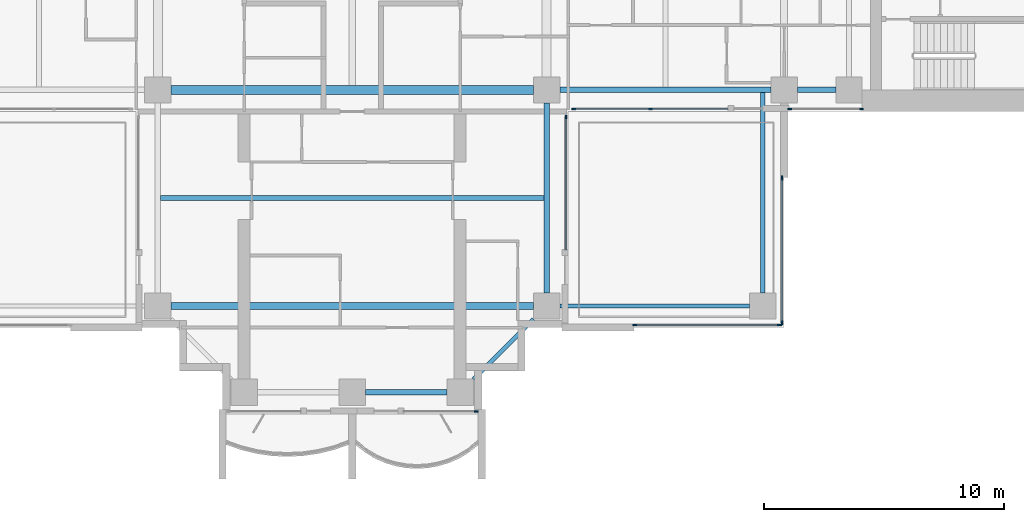
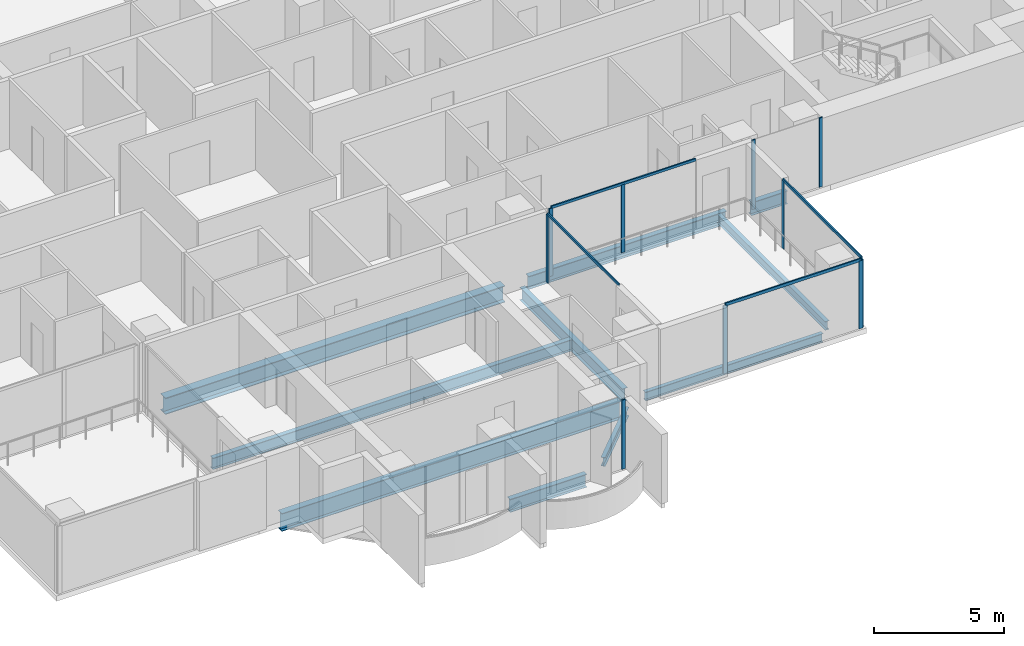
# One storey, part 3 of 19: 14 members, 10 beams, 6 elements without a shape of their own.
"""IFC4 building model written with IfcOpenShell, lengths in metres."""

from ifc_helpers import new_model, si_unit, direction, frame, origin, origin_2d, place, context, subcontext, project, spatial, rectangle, i_section, extrude, material, material_profile, profile_set, type_object, element, aggregate, save


model = new_model("IFC4")

# Units and contexts
model_context = context("Model", 3, precision=1e-05, world=origin(), true_north=direction((0.0, 1.0)))
body_context = subcontext(model_context, "Body", "Model", "MODEL_VIEW")
ifc_project = project(units=[si_unit("LENGTHUNIT", "METRE"), si_unit("AREAUNIT", "SQUARE_METRE"), si_unit("VOLUMEUNIT", "CUBIC_METRE"), si_unit("PLANEANGLEUNIT", "RADIAN"), si_unit("MASSUNIT", "GRAM", prefix="KILO")], contexts=[model_context])

# Site, building, storey
site_placement = place(None, origin())
site = spatial("IfcSite", under=ifc_project, at=site_placement, CompositionType="ELEMENT")
building_placement = place(site_placement, origin())
building = spatial("IfcBuilding", under=site, at=building_placement, Name="Perihelion Cross Residences", CompositionType="ELEMENT")
storey_placement = place(building_placement, frame((0.0, 0.0, 119.89990234375)))
storey = spatial("IfcBuildingStorey", under=building, at=storey_placement, Name="L28", CompositionType="ELEMENT", Elevation=119.89990234375)

# Curtain wall, member
ifc_material_1 = material(Name="Bronze anodised aluminium, tinted glazing", Category="aluminium")
curtain_wall_type_1 = type_object("IfcCurtainWallType", Name="CW1", PredefinedType="NOTDEFINED", material=ifc_material_1)
curtain_wall_1_placement = place(storey_placement, origin())
curtain_wall_1 = element("IfcCurtainWall", 1, at=curtain_wall_1_placement, inside=storey, type_object=curtain_wall_type_1, Name="Curtain wall CW1 L28 south tip south bay 2", PredefinedType="NOTDEFINED")
ifc_material_2 = material(Name="Bronze anodised aluminium", Category="aluminium")
ifc_material_profile_1 = material_profile(ifc_material_2, rectangle(XDim=0.06005859375, YDim=0.159912109375, at=origin_2d()), Name="CW1 mullion")
ifc_profile_set_1 = profile_set([ifc_material_profile_1], Name="Bronze anodised aluminium")
member_type_1 = type_object("IfcMemberType", Name="CW1 mullion", PredefinedType="MULLION", material=ifc_profile_set_1)
member_1_placement = place(storey_placement, frame((5.169921875, -21.5, 0.0), z_axis=(0.0, 0.0, 1.0), x_axis=(0.0, 1.0, 0.0)))
member_1 = element("IfcMember", 2, at=member_1_placement, type_object=member_type_1, Name="CW1 mullion 2", PredefinedType="MULLION", context=body_context, shape_type="SweptSolid", body=[
    extrude(rectangle(XDim=0.06005859375, YDim=0.159912109375, at=origin_2d()), origin(), (0.0, 0.0, 1.0), 3.25),
])
aggregate(curtain_wall_1, [member_1])

curtain_wall_2_placement = place(storey_placement, origin())
curtain_wall_2 = element("IfcCurtainWall", 3, at=curtain_wall_2_placement, inside=storey, type_object=curtain_wall_type_1, Name="Curtain wall CW1 L28 south side east bay 1", PredefinedType="NOTDEFINED")
member_2_placement = place(storey_placement, frame((8.89990234375, -9.22998046875, 0.0), z_axis=(0.0, 0.0, 1.0), x_axis=(-1.0, 0.0, 0.0)))
member_2 = element("IfcMember", 4, at=member_2_placement, type_object=member_type_1, Name="CW1 mullion 2", PredefinedType="MULLION", context=body_context, shape_type="SweptSolid", body=[
    extrude(rectangle(XDim=0.06005859375, YDim=0.159912109375, at=origin_2d()), origin(), (0.0, 0.0, 1.0), 3.190185546875),
])

# Curtain wall, members
curtain_wall_3_placement = place(storey_placement, origin())
curtain_wall_3 = element("IfcCurtainWall", 5, at=curtain_wall_3_placement, inside=storey, type_object=curtain_wall_type_1, Name="Curtain wall CW1 L28 east side south bay 1", PredefinedType="NOTDEFINED")
member_3_placement = place(storey_placement, frame((9.22998046875, -8.89990234375, 0.0), z_axis=(0.0, 0.0, 1.0), x_axis=(0.0, 1.0, 0.0)))
member_3 = element("IfcMember", 6, at=member_3_placement, type_object=member_type_1, Name="CW1 mullion 1", PredefinedType="MULLION", context=body_context, shape_type="SweptSolid", body=[
    extrude(rectangle(XDim=0.06005859375, YDim=0.159912109375, at=origin_2d()), origin(), (0.0, 0.0, 1.0), 3.190185546875),
])
member_4_placement = place(storey_placement, frame((12.425048828125, -8.89990234375, 0.0), z_axis=(0.0, 0.0, 1.0), x_axis=(0.0, 1.0, 0.0)))
member_4 = element("IfcMember", 7, at=member_4_placement, type_object=member_type_1, Name="CW1 mullion 2", PredefinedType="MULLION", context=body_context, shape_type="SweptSolid", body=[
    extrude(rectangle(XDim=0.06005859375, YDim=0.159912109375, at=origin_2d()), origin(), (0.0, 0.0, 1.0), 3.190185546875),
])

curtain_wall_4_placement = place(storey_placement, origin())
curtain_wall_4 = element("IfcCurtainWall", 8, at=curtain_wall_4_placement, inside=storey, type_object=curtain_wall_type_1, Name="Curtain wall CW1 L28 east side south bay 2", PredefinedType="NOTDEFINED")
member_5_placement = place(storey_placement, frame((18.22998046875, -8.89990234375, 0.0), z_axis=(0.0, 0.0, 1.0), x_axis=(0.0, 1.0, 0.0)))
member_5 = element("IfcMember", 9, at=member_5_placement, type_object=member_type_1, Name="CW1 mullion 1", PredefinedType="MULLION", context=body_context, shape_type="SweptSolid", body=[
    extrude(rectangle(XDim=0.06005859375, YDim=0.159912109375, at=origin_2d()), origin(), (0.0, 0.0, 1.0), 3.25),
])
member_6_placement = place(storey_placement, frame((21.219970703125, -8.89990234375, 0.0), z_axis=(0.0, 0.0, 1.0), x_axis=(0.0, 1.0, 0.0)))
member_6 = element("IfcMember", 10, at=member_6_placement, type_object=member_type_1, Name="CW1 mullion 2", PredefinedType="MULLION", context=body_context, shape_type="SweptSolid", body=[
    extrude(rectangle(XDim=0.06005859375, YDim=0.159912109375, at=origin_2d()), origin(), (0.0, 0.0, 1.0), 3.25),
])
aggregate(curtain_wall_4, [member_5, member_6])

# Member
ifc_material_3 = material(Name="Bronze anodised aluminium", Category="aluminium")
ifc_material_profile_2 = material_profile(ifc_material_3, rectangle(XDim=0.06005859375, YDim=0.1201171875, at=origin_2d()), Name="CW1 transom")
ifc_profile_set_2 = profile_set([ifc_material_profile_2], Name="Bronze anodised aluminium")
member_type_2 = type_object("IfcMemberType", Name="CW1 transom", PredefinedType="USERDEFINED", material=ifc_profile_set_2)
member_7_placement = place(storey_placement, frame((8.89990234375, -14.75, 3.22021484375), z_axis=(0.0, 1.0, 0.0), x_axis=(-1.0, 0.0, 0.0)))
member_7 = element("IfcMember", 11, at=member_7_placement, type_object=member_type_2, Name="CW1 head transom", ObjectType="TRANSOM", PredefinedType="USERDEFINED", context=body_context, shape_type="SweptSolid", body=[
    extrude(rectangle(XDim=0.06005859375, YDim=0.1201171875, at=origin_2d()), origin(), (0.0, 0.0, 1.0), 5.52001953125),
])

aggregate(curtain_wall_2, [member_2, member_7])

member_8_placement = place(storey_placement, frame((9.22998046875, -8.89990234375, 3.22021484375), z_axis=(1.0, 0.0, 0.0), x_axis=(0.0, 1.0, 0.0)))
member_8 = element("IfcMember", 12, at=member_8_placement, type_object=member_type_2, Name="CW1 head transom", ObjectType="TRANSOM", PredefinedType="USERDEFINED", context=body_context, shape_type="SweptSolid", body=[
    extrude(rectangle(XDim=0.06005859375, YDim=0.1201171875, at=origin_2d()), origin(), (0.0, 0.0, 1.0), 6.419921875),
])

aggregate(curtain_wall_3, [member_3, member_4, member_8])

# Curtain wall, members
ifc_material_4 = material(Name="Bronze anodised aluminium, tinted glazing", Category="aluminium")
curtain_wall_type_2 = type_object("IfcCurtainWallType", Name="CW4", PredefinedType="NOTDEFINED", material=ifc_material_4)
curtain_wall_5_placement = place(storey_placement, origin())
curtain_wall_5 = element("IfcCurtainWall", 13, at=curtain_wall_5_placement, inside=storey, type_object=curtain_wall_type_2, Name="Curtain wall CW4 L28 pocket south-east 1 1", PredefinedType="NOTDEFINED")
ifc_material_5 = material(Name="Bronze anodised aluminium", Category="aluminium")
ifc_material_profile_3 = material_profile(ifc_material_5, rectangle(XDim=0.06005859375, YDim=0.179931640625, at=origin_2d()), Name="CW4 mullion")
ifc_profile_set_3 = profile_set([ifc_material_profile_3], Name="Bronze anodised aluminium")
member_type_3 = type_object("IfcMemberType", Name="CW4 mullion", PredefinedType="MULLION", material=ifc_profile_set_3)
member_9_placement = place(storey_placement, frame((17.89990234375, -11.77001953125, 0.0), z_axis=(0.0, 0.0, 1.0), x_axis=(1.0, 0.0, 0.0)))
member_9 = element("IfcMember", 14, at=member_9_placement, type_object=member_type_3, Name="CW4 mullion 1", PredefinedType="MULLION", context=body_context, shape_type="SweptSolid", body=[
    extrude(rectangle(XDim=0.06005859375, YDim=0.179931640625, at=origin_2d()), origin(), (0.0, 0.0, 1.0), 3.190185546875),
])
member_10_placement = place(storey_placement, frame((17.89990234375, -17.800048828125, 0.0), z_axis=(0.0, 0.0, 1.0), x_axis=(1.0, 0.0, 0.0)))
member_10 = element("IfcMember", 15, at=member_10_placement, type_object=member_type_3, Name="CW4 mullion 2", PredefinedType="MULLION", context=body_context, shape_type="SweptSolid", body=[
    extrude(rectangle(XDim=0.06005859375, YDim=0.179931640625, at=origin_2d()), origin(), (0.0, 0.0, 1.0), 3.190185546875),
])

curtain_wall_6_placement = place(storey_placement, origin())
curtain_wall_6 = element("IfcCurtainWall", 16, at=curtain_wall_6_placement, inside=storey, type_object=curtain_wall_type_2, Name="Curtain wall CW4 L28 pocket south-east 1 2", PredefinedType="NOTDEFINED")
member_11_placement = place(storey_placement, frame((17.800048828125, -17.89990234375, 0.0), z_axis=(0.0, 0.0, 1.0), x_axis=(0.0, -1.0, 0.0)))
member_11 = element("IfcMember", 17, at=member_11_placement, type_object=member_type_3, Name="CW4 mullion 1", PredefinedType="MULLION", context=body_context, shape_type="SweptSolid", body=[
    extrude(rectangle(XDim=0.06005859375, YDim=0.179931640625, at=origin_2d()), origin(), (0.0, 0.0, 1.0), 3.190185546875),
])
member_12_placement = place(storey_placement, frame((11.77001953125, -17.89990234375, 0.0), z_axis=(0.0, 0.0, 1.0), x_axis=(0.0, -1.0, 0.0)))
member_12 = element("IfcMember", 18, at=member_12_placement, type_object=member_type_3, Name="CW4 mullion 2", PredefinedType="MULLION", context=body_context, shape_type="SweptSolid", body=[
    extrude(rectangle(XDim=0.06005859375, YDim=0.179931640625, at=origin_2d()), origin(), (0.0, 0.0, 1.0), 3.190185546875),
])

# Member
ifc_material_6 = material(Name="Bronze anodised aluminium", Category="aluminium")
ifc_material_profile_4 = material_profile(ifc_material_6, rectangle(XDim=0.06005859375, YDim=0.139892578125, at=origin_2d()), Name="CW4 transom")
ifc_profile_set_4 = profile_set([ifc_material_profile_4], Name="Bronze anodised aluminium")
member_type_4 = type_object("IfcMemberType", Name="CW4 transom", PredefinedType="USERDEFINED", material=ifc_profile_set_4)
member_13_placement = place(storey_placement, frame((17.89990234375, -11.77001953125, 3.22021484375), z_axis=(0.0, -1.0, 0.0), x_axis=(1.0, 0.0, 0.0)))
member_13 = element("IfcMember", 19, at=member_13_placement, type_object=member_type_4, Name="CW4 head transom", ObjectType="TRANSOM", PredefinedType="USERDEFINED", context=body_context, shape_type="SweptSolid", body=[
    extrude(rectangle(XDim=0.06005859375, YDim=0.139892578125, at=origin_2d()), origin(), (0.0, 0.0, 1.0), 6.030029296875),
])

aggregate(curtain_wall_5, [member_9, member_10, member_13])

member_14_placement = place(storey_placement, frame((17.800048828125, -17.89990234375, 3.22021484375), z_axis=(-1.0, 0.0, 0.0), x_axis=(0.0, -1.0, 0.0)))
member_14 = element("IfcMember", 20, at=member_14_placement, type_object=member_type_4, Name="CW4 head transom", ObjectType="TRANSOM", PredefinedType="USERDEFINED", context=body_context, shape_type="SweptSolid", body=[
    extrude(rectangle(XDim=0.06005859375, YDim=0.139892578125, at=origin_2d()), origin(), (0.0, 0.0, 1.0), 6.030029296875),
])

aggregate(curtain_wall_6, [member_11, member_12, member_14])

# Beams
ifc_material_7 = material(Name="Steel S355", Category="steel")
ifc_material_profile_5 = material_profile(ifc_material_7, i_section(OverallWidth=0.177978515625, OverallDepth=0.406005859375, WebThickness=0.0078125, FlangeThickness=0.0126953125, at=origin_2d()), Name="W410x60")
ifc_profile_set_5 = profile_set([ifc_material_profile_5], Name="Steel S355")
beam_type_1 = type_object("IfcBeamType", Name="Core edge beam W410x60", PredefinedType="BEAM", material=ifc_profile_set_5)
beam_1_placement = place(storey_placement, frame((17.10009765625, -8.214599609375, -0.452880859375), z_axis=(0.0, -1.0, 0.0), x_axis=(1.0, 0.0, 0.0)))
element("IfcBeam", 21, at=beam_1_placement, inside=storey, type_object=beam_type_1, Name="Core edge beam TB2 L28 corner no. 5", PredefinedType="BEAM", context=body_context, shape_type="SweptSolid", body=[
    extrude(i_section(OverallWidth=0.177978515625, OverallDepth=0.406005859375, WebThickness=0.0078125, FlangeThickness=0.0126953125, at=origin_2d()), origin(), (0.0, 0.0, 1.0), 8.33544921875),
])
beam_2_placement = place(storey_placement, frame((8.64990234375, -17.10009765625, -0.452880859375), z_axis=(1.0, 0.0, 0.0), x_axis=(0.0, 1.0, 0.0)))
element("IfcBeam", 22, at=beam_2_placement, inside=storey, type_object=beam_type_1, Name="Core edge beam TB2 L28 corner no. 6", PredefinedType="BEAM", context=body_context, shape_type="SweptSolid", body=[
    extrude(i_section(OverallWidth=0.177978515625, OverallDepth=0.406005859375, WebThickness=0.0078125, FlangeThickness=0.0126953125, at=origin_2d()), origin(), (0.0, 0.0, 1.0), 7.900146484375),
])
ifc_material_8 = material(Name="Steel S355", Category="steel")
ifc_material_profile_6 = material_profile(ifc_material_8, i_section(OverallWidth=0.22900390625, OverallDepth=0.612060546875, WebThickness=0.011962890625, FlangeThickness=0.01953125, at=origin_2d()), Name="W610x125")
ifc_profile_set_6 = profile_set([ifc_material_profile_6], Name="Steel S355")
beam_type_2 = type_object("IfcBeamType", Name="Edge beam W610x125", PredefinedType="SPANDREL", material=ifc_profile_set_6)
beam_3_placement = place(storey_placement, frame((0.550048828125, -20.699951171875, -0.555908203125), z_axis=(1.0, 0.0, 0.0), x_axis=(0.0, 1.0, 0.0)))
element("IfcBeam", 23, at=beam_3_placement, inside=storey, type_object=beam_type_2, Name="Edge beam SB3 L28 no. 9", PredefinedType="SPANDREL", context=body_context, shape_type="SweptSolid", body=[
    extrude(i_section(OverallWidth=0.22900390625, OverallDepth=0.612060546875, WebThickness=0.011962890625, FlangeThickness=0.01953125, at=origin_2d()), origin(), (0.0, 0.0, 1.0), 3.39990234375),
])
beam_4_placement = place(storey_placement, frame((8.10009765625, -16.550048828125, -0.555908203125), z_axis=(0.0, 1.0, 0.0), x_axis=(-1.0, 0.0, 0.0)))
element("IfcBeam", 24, at=beam_4_placement, inside=storey, type_object=beam_type_2, Name="Edge beam SB3 L28 no. 15", PredefinedType="SPANDREL", context=body_context, shape_type="SweptSolid", body=[
    extrude(i_section(OverallWidth=0.22900390625, OverallDepth=0.612060546875, WebThickness=0.011962890625, FlangeThickness=0.01953125, at=origin_2d()), origin(), (0.0, 0.0, 1.0), 7.900146484375),
])
beam_5_placement = place(storey_placement, frame((8.64990234375, -8.10009765625, -0.555908203125), z_axis=(1.0, 0.0, 0.0), x_axis=(0.0, 1.0, 0.0)))
element("IfcBeam", 25, at=beam_5_placement, inside=storey, type_object=beam_type_2, Name="Edge beam SB3 L28 no. 16", PredefinedType="SPANDREL", context=body_context, shape_type="SweptSolid", body=[
    extrude(i_section(OverallWidth=0.22900390625, OverallDepth=0.612060546875, WebThickness=0.011962890625, FlangeThickness=0.01953125, at=origin_2d()), origin(), (0.0, 0.0, 1.0), 8.800048828125),
])
beam_6_placement = place(storey_placement, frame((18.550048828125, -8.10009765625, -0.555908203125), z_axis=(1.0, 0.0, 0.0), x_axis=(0.0, 1.0, 0.0)))
element("IfcBeam", 26, at=beam_6_placement, inside=storey, type_object=beam_type_2, Name="Edge beam SB3 L28 no. 11", PredefinedType="SPANDREL", context=body_context, shape_type="SweptSolid", body=[
    extrude(i_section(OverallWidth=0.22900390625, OverallDepth=0.612060546875, WebThickness=0.011962890625, FlangeThickness=0.01953125, at=origin_2d()), origin(), (0.0, 0.0, 1.0), 1.599853515625),
])
ifc_material_9 = material(Name="Steel S355", Category="steel")
ifc_material_profile_7 = material_profile(ifc_material_9, i_section(OverallWidth=0.2919921875, OverallDepth=0.8359375, WebThickness=0.013916015625, FlangeThickness=0.018798828125, at=origin_2d()), Name="W840x176")
ifc_profile_set_7 = profile_set([ifc_material_profile_7], Name="Steel S355")
beam_type_3 = type_object("IfcBeamType", Name="Floor girder W840x176", PredefinedType="BEAM", material=ifc_profile_set_7)
beam_7_placement = place(storey_placement, frame((-7.550048828125, -17.10009765625, -0.66796875), z_axis=(1.0, 0.0, 0.0), x_axis=(0.0, 1.0, 0.0)))
element("IfcBeam", 27, at=beam_7_placement, inside=storey, type_object=beam_type_3, Name="Girder G3 L28 no. 3", PredefinedType="BEAM", context=body_context, shape_type="SweptSolid", body=[
    extrude(i_section(OverallWidth=0.2919921875, OverallDepth=0.8359375, WebThickness=0.013916015625, FlangeThickness=0.018798828125, at=origin_2d()), origin(), (0.0, 0.0, 1.0), 15.10009765625),
])
ifc_material_10 = material(Name="Steel S355", Category="steel")
ifc_material_profile_8 = material_profile(ifc_material_10, i_section(OverallWidth=0.208984375, OverallDepth=0.532958984375, WebThickness=0.01025390625, FlangeThickness=0.015625, at=origin_2d()), Name="W530x92")
ifc_profile_set_8 = profile_set([ifc_material_profile_8], Name="Steel S355")
beam_type_4 = type_object("IfcBeamType", Name="Floor joist W530x92", PredefinedType="JOIST", material=ifc_profile_set_8)
beam_8_placement = place(storey_placement, frame((-7.985595703125, -12.60009765625, -0.516357421875), z_axis=(1.0, 0.0, 0.0), x_axis=(0.0, 1.0, 0.0)))
element("IfcBeam", 28, at=beam_8_placement, inside=storey, type_object=beam_type_4, Name="Joist J4 L28 no. 3", PredefinedType="JOIST", context=body_context, shape_type="SweptSolid", body=[
    extrude(i_section(OverallWidth=0.208984375, OverallDepth=0.532958984375, WebThickness=0.01025390625, FlangeThickness=0.015625, at=origin_2d()), origin(), (0.0, 0.0, 1.0), 15.97119140625),
])
ifc_material_11 = material(Name="Steel S355", Category="steel")
ifc_material_profile_9 = material_profile(ifc_material_11, i_section(OverallWidth=0.381103515625, OverallDepth=0.77197265625, WebThickness=0.0166015625, FlangeThickness=0.027099609375, at=origin_2d()), Name="W760x257")
ifc_profile_set_9 = profile_set([ifc_material_profile_9], Name="Steel S355")
beam_type_5 = type_object("IfcBeamType", Name="Hub ring girder W760x257", PredefinedType="BEAM", material=ifc_profile_set_9)
beam_9_placement = place(storey_placement, frame((-7.550048828125, -8.10009765625, -0.635986328125), z_axis=(1.0, 0.0, 0.0), x_axis=(0.0, 1.0, 0.0)))
element("IfcBeam", 29, at=beam_9_placement, inside=storey, type_object=beam_type_5, Name="Hub ring girder RG3 L28 no. 1", PredefinedType="BEAM", context=body_context, shape_type="SweptSolid", body=[
    extrude(i_section(OverallWidth=0.381103515625, OverallDepth=0.77197265625, WebThickness=0.0166015625, FlangeThickness=0.027099609375, at=origin_2d()), origin(), (0.0, 0.0, 1.0), 15.10009765625),
])
ifc_material_12 = material(Name="Steel S355", Category="steel")
ifc_material_profile_10 = material_profile(ifc_material_12, i_section(OverallWidth=0.180908203125, OverallDepth=0.4169921875, WebThickness=0.010986328125, FlangeThickness=0.018310546875, at=origin_2d()), Name="W410x85")
ifc_profile_set_10 = profile_set([ifc_material_profile_10], Name="Steel S355")
beam_type_6 = type_object("IfcBeamType", Name="Serration edge beam W410x85", PredefinedType="BEAM", material=ifc_profile_set_10)
beam_10_placement = place(storey_placement, frame((5.050048828125, -20.14990234375, -0.45849609375), z_axis=(0.707106781187, 0.707106781187, 0.0), x_axis=(-0.707106781187, 0.707106781187, 0.0)))
element("IfcBeam", 30, at=beam_10_placement, inside=storey, type_object=beam_type_6, Name="Serration edge beam EB3 L28 no. 3", PredefinedType="BEAM", context=body_context, shape_type="SweptSolid", body=[
    extrude(i_section(OverallWidth=0.180908203125, OverallDepth=0.4169921875, WebThickness=0.010986328125, FlangeThickness=0.018310546875, at=origin_2d()), origin(), (0.0, 0.0, 1.0), 3.53564453125),
])

save(model, "model.ifc")
